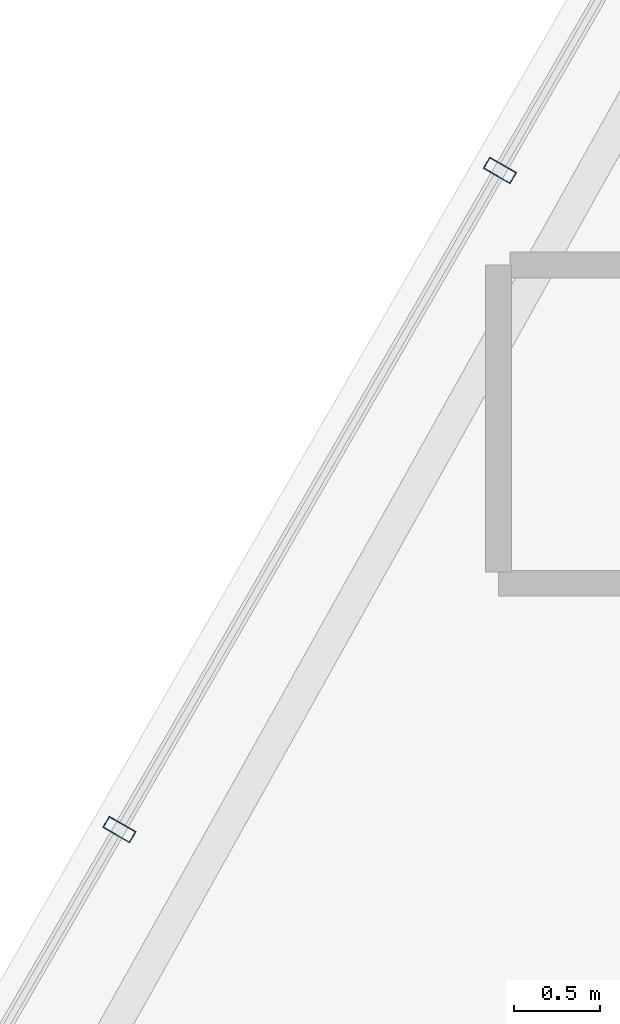
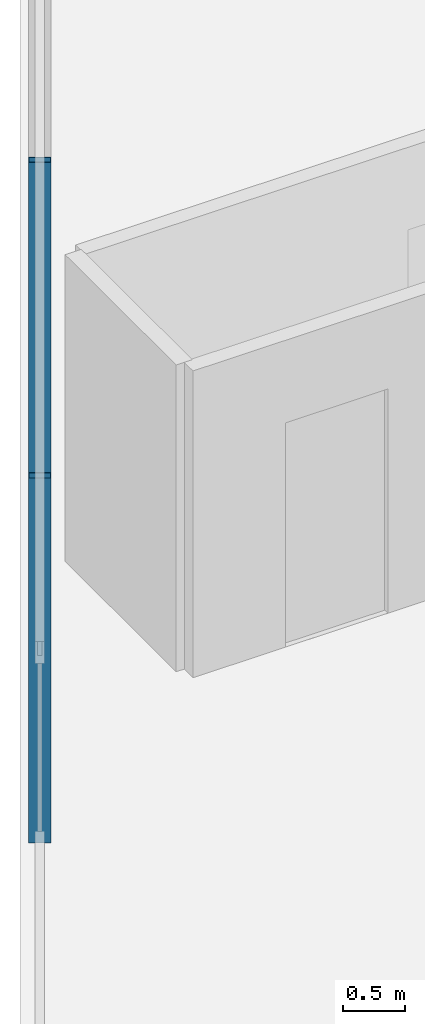
# One storey, part 6 of 34: 2 members, 1 element without a shape of its own.
"""IFC4 building model written with IfcOpenShell, lengths in metres."""

from ifc_helpers import new_model, si_unit, direction, frame, origin, origin_2d, place, context, subcontext, project, spatial, hollow_rectangle, extrude, material, layer, layer_set, material_profile, profile_set, type_object, element, aggregate, save


model = new_model("IFC4")

# Units and contexts
model_context = context("Model", 3, precision=1e-05, world=origin(), true_north=direction((0.0, 1.0)))
body_context = subcontext(model_context, "Body", "Model", "MODEL_VIEW")
ifc_project = project(units=[si_unit("LENGTHUNIT", "METRE"), si_unit("AREAUNIT", "SQUARE_METRE"), si_unit("VOLUMEUNIT", "CUBIC_METRE"), si_unit("PLANEANGLEUNIT", "RADIAN"), si_unit("MASSUNIT", "GRAM", prefix="KILO")], contexts=[model_context])

# Site, building, storey
site_placement = place(None, origin())
site = spatial("IfcSite", under=ifc_project, at=site_placement, CompositionType="ELEMENT")
building_placement = place(site_placement, origin())
building = spatial("IfcBuilding", under=site, at=building_placement, Name="Ndaravel Arena Tower", CompositionType="ELEMENT")
storey_placement = place(building_placement, frame((0.0, 0.0, 267.39990234375)))
storey = spatial("IfcBuildingStorey", under=building, at=storey_placement, Name="L65", CompositionType="ELEMENT", Elevation=267.39990234375)

# Curtain wall, members
ifc_material_1 = material(Name="Aluminium", Category="aluminium")
ifc_layer = layer(ifc_material_1, 0.179931640625)
ifc_layer_set = layer_set([ifc_layer], Name="Aluminium")
curtain_wall_type = type_object("IfcCurtainWallType", Name="CW-SYS-03", PredefinedType="NOTDEFINED", material=ifc_layer_set)
curtain_wall_placement = place(storey_placement, origin())
curtain_wall = element("IfcCurtainWall", 1, at=curtain_wall_placement, inside=storey, type_object=curtain_wall_type, Name="L65 Faceted Crystal Curtain Wall CW-L65-E05", PredefinedType="NOTDEFINED")
ifc_material_2 = material(Name="Aluminium", Category="aluminium")
ifc_material_profile = material_profile(ifc_material_2, hollow_rectangle(XDim=0.074951171875, YDim=0.179931640625, WallThickness=0.00390625, at=origin_2d()), Name="CW MULLION 75x180x4")
ifc_profile_set = profile_set([ifc_material_profile], Name="Aluminium")
member_type = type_object("IfcMemberType", Name="MEM-CW-MUL180", PredefinedType="MULLION", material=ifc_profile_set)
member_1_placement = place(storey_placement, frame((23.791259765625, 17.548583984375, 0.0), z_axis=(0.0, 0.0, 1.0), x_axis=(-0.5, -0.866025403784, 0.0)))
member_1 = element("IfcMember", 2, at=member_1_placement, type_object=member_type, Name="CW-L65-E05 Mullion 07", PredefinedType="MULLION", context=body_context, shape_type="SweptSolid", body=[
    extrude(hollow_rectangle(XDim=0.074951171875, YDim=0.179931640625, WallThickness=0.00390625, at=origin_2d()), origin(), (0.0, 0.0, 1.0), 3.580078125),
])
member_2_placement = place(storey_placement, frame((21.580078125, 13.71875, 0.0), z_axis=(0.0, 0.0, 1.0), x_axis=(-0.5, -0.866025403784, 0.0)))
member_2 = element("IfcMember", 3, at=member_2_placement, type_object=member_type, Name="CW-L65-E05 Mullion 08", PredefinedType="MULLION", context=body_context, shape_type="SweptSolid", body=[
    extrude(hollow_rectangle(XDim=0.074951171875, YDim=0.179931640625, WallThickness=0.00390625, at=origin_2d()), origin(), (0.0, 0.0, 1.0), 3.580078125),
])
aggregate(curtain_wall, [member_1, member_2])

save(model, "model.ifc")
